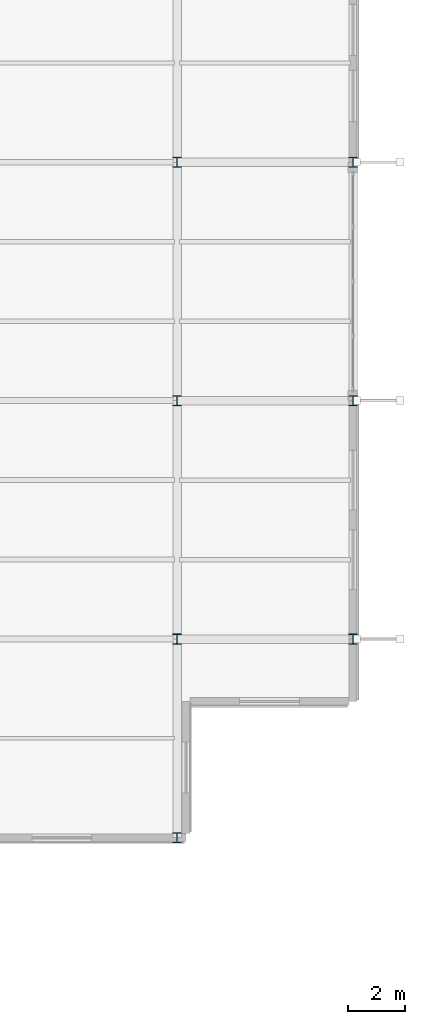
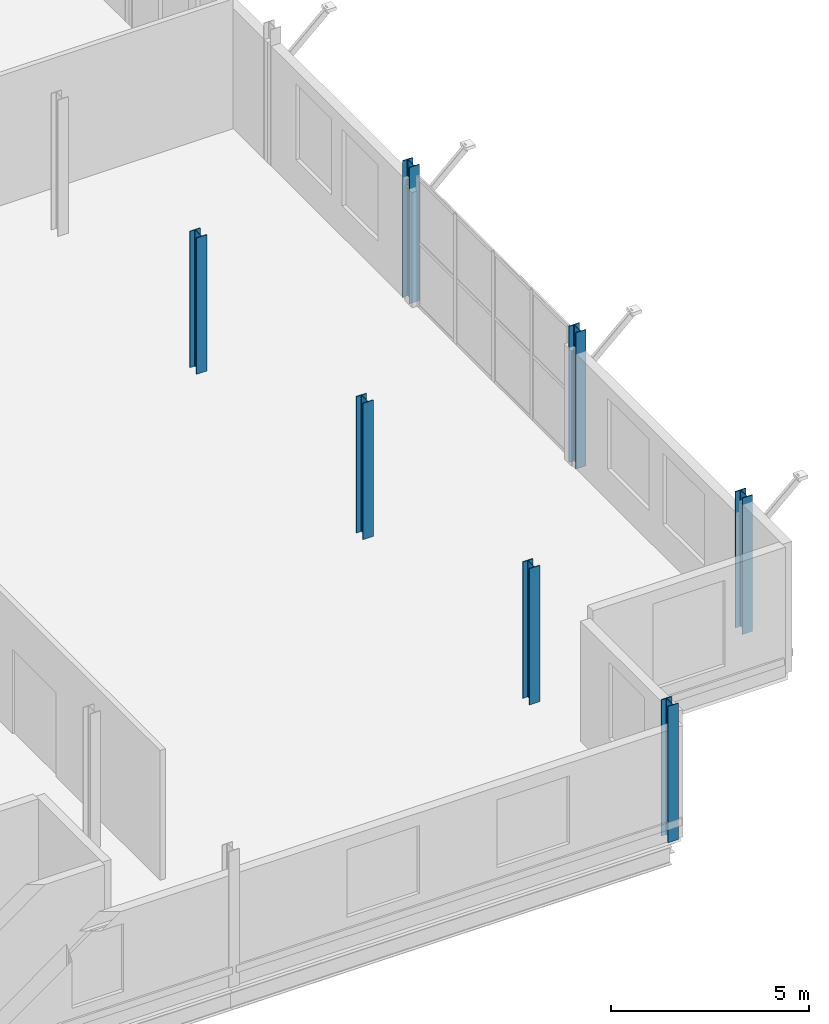
# One storey, part 6 of 25: 7 columns.
"""IFC4 building model written with IfcOpenShell, lengths in metres."""

from ifc_helpers import new_model, si_unit, direction, frame, origin, origin_2d, place, context, subcontext, project, spatial, i_section, extrude, material, material_profile, profile_set, type_object, element, save


model = new_model("IFC4")

# Units and contexts
model_context = context("Model", 3, precision=1e-05, world=origin(), true_north=direction((0.0, 1.0)))
body_context = subcontext(model_context, "Body", "Model", "MODEL_VIEW")
ifc_project = project(units=[si_unit("LENGTHUNIT", "METRE"), si_unit("AREAUNIT", "SQUARE_METRE"), si_unit("VOLUMEUNIT", "CUBIC_METRE"), si_unit("PLANEANGLEUNIT", "RADIAN"), si_unit("MASSUNIT", "GRAM", prefix="KILO")], contexts=[model_context])

# Site, building, storey
site_placement = place(None, origin())
site = spatial("IfcSite", under=ifc_project, at=site_placement, CompositionType="ELEMENT")
building_placement = place(site_placement, origin())
building = spatial("IfcBuilding", under=site, at=building_placement, Name="Vekula Escarpment Museum", CompositionType="ELEMENT")
storey_placement = place(building_placement, frame((0.0, 0.0, 26.39990234375)))
storey = spatial("IfcBuildingStorey", under=building, at=storey_placement, Name="L06", CompositionType="ELEMENT", Elevation=26.39990234375)

# Columns
ifc_material = material(Name="Steel S355", Category="steel")
ifc_material_profile = material_profile(ifc_material, i_section(OverallWidth=0.300048828125, OverallDepth=0.360107421875, WebThickness=0.012451171875, FlangeThickness=0.0224609375, FilletRadius=0.027099609375, at=origin_2d()), Name="HEB 360")
ifc_profile_set = profile_set([ifc_material_profile], Name="Steel S355")
column_type = type_object("IfcColumnType", Name="COL-S-HEB360", PredefinedType="COLUMN", material=ifc_profile_set)
for number, where, z_axis, x_axis, name in (
    (1, (191.800048828125, 52.60009765625, 0.0), (0.0, 0.0, 1.0), (1.0, 0.0, 0.0), "Column L06 (191.8,52.6)"),
    (2, (191.800048828125, 59.60009765625, 0.0), (0.0, 0.0, 1.0), (1.0, 0.0, 0.0), "Column L06 (191.8,59.6)"),
    (3, (191.800048828125, 68.0, 0.0), (0.0, 0.0, 1.0), (1.0, 0.0, 0.0), "Column L06 (191.8,68.0)"),
    (4, (191.800048828125, 76.39990234375, 0.0), (0.0, 0.0, 1.0), (1.0, 0.0, 0.0), "Column L06 (191.8,76.4)"),
    (5, (198.0, 59.60009765625, 0.0), (0.0, 0.0, 1.0), (1.0, 0.0, 0.0), "Column L06 (198.0,59.6)"),
    (6, (198.0, 68.0, 0.0), (0.0, 0.0, 1.0), (1.0, 0.0, 0.0), "Column L06 (198.0,68.0)"),
    (7, (198.0, 76.39990234375, 0.0), (0.0, 0.0, 1.0), (1.0, 0.0, 0.0), "Column L06 (198.0,76.4)"),
):
    element("IfcColumn", number, at=place(storey_placement, frame(where, z_axis=z_axis, x_axis=x_axis)), inside=storey, type_object=column_type, Name=name, PredefinedType="COLUMN", context=body_context, shape_type="SweptSolid", body=[
        extrude(i_section(OverallWidth=0.300048828125, OverallDepth=0.360107421875, WebThickness=0.012451171875, FlangeThickness=0.0224609375, FilletRadius=0.027099609375, at=origin_2d()), origin(), (0.0, 0.0, 1.0), 4.2001953125),
    ])

save(model, "model.ifc")
